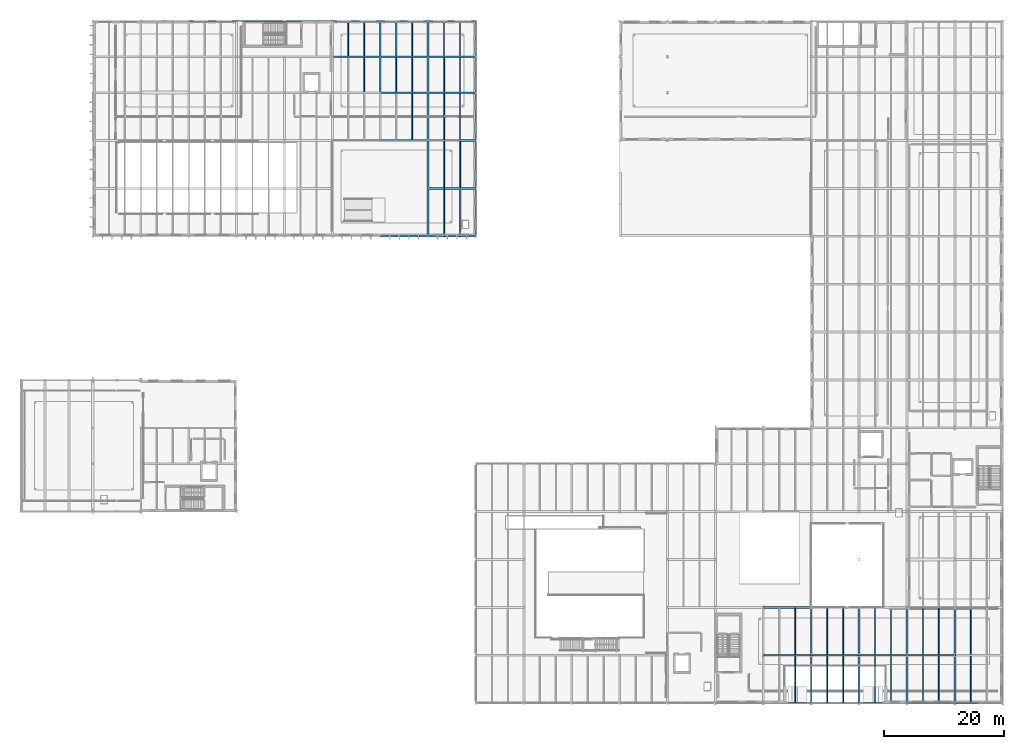
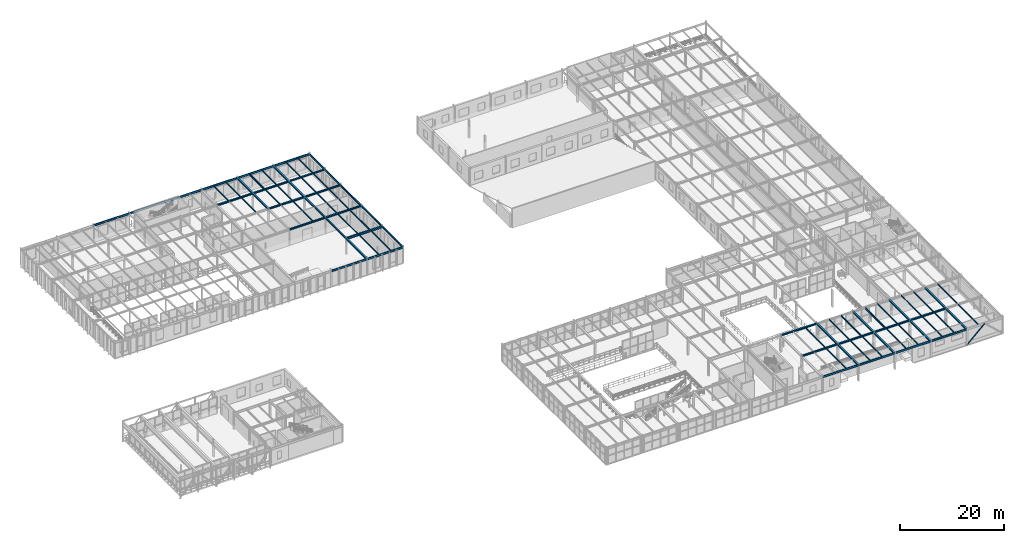
# One storey, part 63 of 124: 79 beams, 1 member.
"""IFC4 building model written with IfcOpenShell, lengths in metres."""

from ifc_helpers import new_model, si_unit, direction, frame, origin, origin_2d, place, context, subcontext, project, spatial, hollow_circle, i_section, extrude, material, material_profile, profile_set, type_object, element, save


model = new_model("IFC4")

# Units and contexts
model_context = context("Model", 3, precision=1e-05, world=origin(), true_north=direction((0.0, 1.0)))
body_context = subcontext(model_context, "Body", "Model", "MODEL_VIEW")
ifc_project = project(units=[si_unit("LENGTHUNIT", "METRE"), si_unit("AREAUNIT", "SQUARE_METRE"), si_unit("VOLUMEUNIT", "CUBIC_METRE"), si_unit("PLANEANGLEUNIT", "RADIAN"), si_unit("MASSUNIT", "GRAM", prefix="KILO")], contexts=[model_context])

# Site, building, storey
site_placement = place(None, origin())
site = spatial("IfcSite", under=ifc_project, at=site_placement, CompositionType="ELEMENT")
building_placement = place(site_placement, origin())
building = spatial("IfcBuilding", under=site, at=building_placement, Name="Sundkrona Museum", CompositionType="ELEMENT")
storey_placement = place(building_placement, frame((0.0, 0.0, 17.60009765625)))
storey = spatial("IfcBuildingStorey", under=building, at=storey_placement, Name="L03", CompositionType="ELEMENT", Elevation=17.60009765625)

# Beams
ifc_material = material(Name="Steel S355J2", Category="steel")
ifc_material_profile_1 = material_profile(ifc_material, i_section(OverallWidth=0.300048828125, OverallDepth=0.2900390625, WebThickness=0.008544921875, FlangeThickness=0.013916015625, FilletRadius=0.027099609375, at=origin_2d()), Name="HEA 300")
ifc_profile_set_1 = profile_set([ifc_material_profile_1], Name="Steel S355J2")
beam_type_1 = type_object("IfcBeamType", Name="B-HEA300", PredefinedType="BEAM", material=ifc_profile_set_1)
beam_1_placement = place(storey_placement, frame((72.0, 108.0, 3.7548828125), z_axis=(1.0, 0.0, 0.0), x_axis=(0.0, 1.0, 0.0)))
element("IfcBeam", 1, at=beam_1_placement, inside=storey, type_object=beam_type_1, Name="L03 Girder X-1539", PredefinedType="BEAM", context=body_context, shape_type="SweptSolid", body=[
    extrude(i_section(OverallWidth=0.300048828125, OverallDepth=0.2900390625, WebThickness=0.008544921875, FlangeThickness=0.013916015625, FilletRadius=0.027099609375, at=origin_2d()), origin(), (0.0, 0.0, 1.0), 8.0),
])
ifc_material_profile_2 = material_profile(ifc_material, i_section(OverallWidth=0.300048828125, OverallDepth=0.35009765625, WebThickness=0.010009765625, FlangeThickness=0.017578125, FilletRadius=0.027099609375, at=origin_2d()), Name="HEA 360")
ifc_profile_set_2 = profile_set([ifc_material_profile_2], Name="Steel S355J2")
beam_type_2 = type_object("IfcBeamType", Name="B-HEA360", PredefinedType="BEAM", material=ifc_profile_set_2)
for number, where, z_axis, x_axis, name in (
    (2, (128.0, 8.0, 3.784912109375), (1.0, 0.0, 0.0), (0.0, 1.0, 0.0), "L03 Girder X-1425"),
    (3, (136.0, 8.0, 3.784912109375), (1.0, 0.0, 0.0), (0.0, 1.0, 0.0), "L03 Girder X-1426"),
    (4, (144.0, 8.0, 3.784912109375), (1.0, 0.0, 0.0), (0.0, 1.0, 0.0), "L03 Girder X-1427"),
    (5, (152.0, 8.0, 3.784912109375), (1.0, 0.0, 0.0), (0.0, 1.0, 0.0), "L03 Girder X-1428"),
    (6, (128.0, 16.0, 3.784912109375), (1.0, 0.0, 0.0), (0.0, 1.0, 0.0), "L03 Girder X-1433"),
    (7, (64.0, 94.0, 3.724853515625), (1.0, 0.0, 0.0), (0.0, 1.0, 0.0), "L03 Girder X-1514"),
    (8, (72.0, 94.0, 3.724853515625), (1.0, 0.0, 0.0), (0.0, 1.0, 0.0), "L03 Girder X-1515"),
    (9, (64.0, 102.0, 3.724853515625), (1.0, 0.0, 0.0), (0.0, 1.0, 0.0), "L03 Girder X-1526"),
    (10, (72.0, 102.0, 3.724853515625), (1.0, 0.0, 0.0), (0.0, 1.0, 0.0), "L03 Girder X-1527"),
    (11, (56.0, 108.0, 3.724853515625), (1.0, 0.0, 0.0), (0.0, 1.0, 0.0), "L03 Girder X-1537"),
    (12, (64.0, 108.0, 3.724853515625), (1.0, 0.0, 0.0), (0.0, 1.0, 0.0), "L03 Girder X-1538"),
):
    element("IfcBeam", number, at=place(storey_placement, frame(where, z_axis=z_axis, x_axis=x_axis)), inside=storey, type_object=beam_type_2, Name=name, PredefinedType="BEAM", context=body_context, shape_type="SweptSolid", body=[
        extrude(i_section(OverallWidth=0.300048828125, OverallDepth=0.35009765625, WebThickness=0.010009765625, FlangeThickness=0.017578125, FilletRadius=0.027099609375, at=origin_2d()), origin(), (0.0, 0.0, 1.0), 8.0),
    ])
for number, where, z_axis, x_axis, name in (
    (13, (64.0, 102.0, 3.724853515625), (0.0, 1.0, 0.0), (-1.0, 0.0, 0.0), "L03 Girder Y-1591"),
    (14, (64.0, 108.0, 3.724853515625), (0.0, 1.0, 0.0), (-1.0, 0.0, 0.0), "L03 Girder Y-1592"),
):
    element("IfcBeam", number, at=place(storey_placement, frame(where, z_axis=z_axis, x_axis=x_axis)), inside=storey, type_object=beam_type_2, Name=name, PredefinedType="BEAM", context=body_context, shape_type="SweptSolid", body=[
        extrude(i_section(OverallWidth=0.300048828125, OverallDepth=0.35009765625, WebThickness=0.010009765625, FlangeThickness=0.017578125, FilletRadius=0.027099609375, at=origin_2d()), origin(), (0.0, 0.0, 1.0), 6.0),
    ])
for number, where, z_axis, x_axis, name in (
    (15, (72.0, 78.0, 3.724853515625), (0.0, 1.0, 0.0), (-1.0, 0.0, 0.0), "L03 Girder Y-1593"),
    (16, (72.0, 86.0, 3.724853515625), (0.0, 1.0, 0.0), (-1.0, 0.0, 0.0), "L03 Girder Y-1594"),
    (17, (72.0, 94.0, 3.724853515625), (0.0, 1.0, 0.0), (-1.0, 0.0, 0.0), "L03 Girder Y-1595"),
):
    element("IfcBeam", number, at=place(storey_placement, frame(where, z_axis=z_axis, x_axis=x_axis)), inside=storey, type_object=beam_type_2, Name=name, PredefinedType="BEAM", context=body_context, shape_type="SweptSolid", body=[
        extrude(i_section(OverallWidth=0.300048828125, OverallDepth=0.35009765625, WebThickness=0.010009765625, FlangeThickness=0.017578125, FilletRadius=0.027099609375, at=origin_2d()), origin(), (0.0, 0.0, 1.0), 8.0),
    ])
for number, where, z_axis, x_axis, name in (
    (18, (72.0, 102.0, 3.724853515625), (0.0, 1.0, 0.0), (-1.0, 0.0, 0.0), "L03 Girder Y-1596"),
    (19, (72.0, 108.0, 3.724853515625), (0.0, 1.0, 0.0), (-1.0, 0.0, 0.0), "L03 Girder Y-1597"),
):
    element("IfcBeam", number, at=place(storey_placement, frame(where, z_axis=z_axis, x_axis=x_axis)), inside=storey, type_object=beam_type_2, Name=name, PredefinedType="BEAM", context=body_context, shape_type="SweptSolid", body=[
        extrude(i_section(OverallWidth=0.300048828125, OverallDepth=0.35009765625, WebThickness=0.010009765625, FlangeThickness=0.017578125, FilletRadius=0.027099609375, at=origin_2d()), origin(), (0.0, 0.0, 1.0), 6.0),
    ])
for number, where, z_axis, x_axis, name in (
    (20, (136.0, 0.0, 3.784912109375), (0.0, 1.0, 0.0), (-1.0, 0.0, 0.0), "L03 Girder Y-1632"),
    (21, (136.0, 8.0, 3.784912109375), (0.0, 1.0, 0.0), (-1.0, 0.0, 0.0), "L03 Girder Y-1633"),
    (22, (144.0, 0.0, 3.784912109375), (0.0, 1.0, 0.0), (-1.0, 0.0, 0.0), "L03 Girder Y-1647"),
    (23, (144.0, 8.0, 3.784912109375), (0.0, 1.0, 0.0), (-1.0, 0.0, 0.0), "L03 Girder Y-1648"),
    (24, (152.0, 0.0, 3.784912109375), (0.0, 1.0, 0.0), (-1.0, 0.0, 0.0), "L03 Girder Y-1660"),
    (25, (152.0, 8.0, 3.784912109375), (0.0, 1.0, 0.0), (-1.0, 0.0, 0.0), "L03 Girder Y-1661"),
    (26, (160.0, 0.0, 3.784912109375), (0.0, 1.0, 0.0), (-1.0, 0.0, 0.0), "L03 Girder Y-1675"),
    (27, (160.0, 8.0, 3.784912109375), (0.0, 1.0, 0.0), (-1.0, 0.0, 0.0), "L03 Girder Y-1676"),
):
    element("IfcBeam", number, at=place(storey_placement, frame(where, z_axis=z_axis, x_axis=x_axis)), inside=storey, type_object=beam_type_2, Name=name, PredefinedType="BEAM", context=body_context, shape_type="SweptSolid", body=[
        extrude(i_section(OverallWidth=0.300048828125, OverallDepth=0.35009765625, WebThickness=0.010009765625, FlangeThickness=0.017578125, FilletRadius=0.027099609375, at=origin_2d()), origin(), (0.0, 0.0, 1.0), 8.0),
    ])
ifc_material_profile_3 = material_profile(ifc_material, i_section(OverallWidth=0.300048828125, OverallDepth=0.5, WebThickness=0.014404296875, FlangeThickness=0.028076171875, FilletRadius=0.027099609375, at=origin_2d()), Name="HEB 500")
ifc_profile_set_3 = profile_set([ifc_material_profile_3], Name="Steel S355J2")
beam_type_3 = type_object("IfcBeamType", Name="B-HEB500", PredefinedType="BEAM", material=ifc_profile_set_3)
beam_2_placement = place(storey_placement, frame((72.0, 86.0, 3.64990234375), z_axis=(1.0, 0.0, 0.0), x_axis=(0.0, 1.0, 0.0)))
element("IfcBeam", 28, at=beam_2_placement, inside=storey, type_object=beam_type_3, Name="L03 Girder X-1503", PredefinedType="BEAM", context=body_context, shape_type="SweptSolid", body=[
    extrude(i_section(OverallWidth=0.300048828125, OverallDepth=0.5, WebThickness=0.014404296875, FlangeThickness=0.028076171875, FilletRadius=0.027099609375, at=origin_2d()), origin(), (0.0, 0.0, 1.0), 8.0),
])

# Member
ifc_material_profile_4 = material_profile(ifc_material, hollow_circle(Radius=0.136474609375, WallThickness=0.012451171875, at=origin_2d()), Name="CHS 273.0x12.5")
ifc_profile_set_4 = profile_set([ifc_material_profile_4], Name="Steel S355J2")
member_type = type_object("IfcMemberType", Name="BR-CHS273", PredefinedType="BRACE", material=ifc_profile_set_4)
member_placement = place(storey_placement, frame((160.0, 0.0, 0.0), z_axis=(0.730448607788, 0.0, 0.68296766496), x_axis=(0.0, 1.0, 0.0)))
element("IfcMember", 29, at=member_placement, inside=storey, type_object=member_type, Name="CBR-1 L03 Concentric Chevron Brace 005A", PredefinedType="BRACE", context=body_context, shape_type="SweptSolid", body=[
    extrude(hollow_circle(Radius=0.136474609375, WallThickness=0.012451171875, at=origin_2d()), origin(), (0.0, 0.0, 1.0), 5.47607421875),
])

# Beams
ifc_material_profile_5 = material_profile(ifc_material, i_section(OverallWidth=0.091064453125, OverallDepth=0.179931640625, WebThickness=0.00537109375, FlangeThickness=0.008056640625, FilletRadius=0.009033203125, at=origin_2d()), Name="IPE 180")
ifc_profile_set_5 = profile_set([ifc_material_profile_5], Name="Steel S355J2")
beam_type_4 = type_object("IfcBeamType", Name="J-IPE180", PredefinedType="JOIST", material=ifc_profile_set_5)
beam_3_placement = place(storey_placement, frame((154.666748046875, 8.14404296875, 3.869873046875), z_axis=(0.0, 1.0, 0.0), x_axis=(-1.0, 0.0, 0.0)))
element("IfcBeam", 30, at=beam_3_placement, inside=storey, type_object=beam_type_4, Name="L03 Composite Joist 1135", PredefinedType="JOIST", context=body_context, shape_type="SweptSolid", body=[
    extrude(i_section(OverallWidth=0.091064453125, OverallDepth=0.179931640625, WebThickness=0.00537109375, FlangeThickness=0.008056640625, FilletRadius=0.009033203125, at=origin_2d()), origin(), (0.0, 0.0, 1.0), 7.7119140625),
])
ifc_material_profile_6 = material_profile(ifc_material, i_section(OverallWidth=0.10009765625, OverallDepth=0.199951171875, WebThickness=0.005615234375, FlangeThickness=0.008544921875, FilletRadius=0.011962890625, at=origin_2d()), Name="IPE 200")
ifc_profile_set_6 = profile_set([ifc_material_profile_6], Name="Steel S355J2")
beam_type_5 = type_object("IfcBeamType", Name="J-IPE200", PredefinedType="JOIST", material=ifc_profile_set_6)
beam_4_placement = place(storey_placement, frame((74.666748046875, 108.14404296875, 3.7998046875), z_axis=(0.0, 1.0, 0.0), x_axis=(-1.0, 0.0, 0.0)))
element("IfcBeam", 31, at=beam_4_placement, inside=storey, type_object=beam_type_5, Name="L03 Composite Joist 1040", PredefinedType="JOIST", context=body_context, shape_type="SweptSolid", body=[
    extrude(i_section(OverallWidth=0.10009765625, OverallDepth=0.199951171875, WebThickness=0.005615234375, FlangeThickness=0.008544921875, FilletRadius=0.011962890625, at=origin_2d()), origin(), (0.0, 0.0, 1.0), 5.766845703125),
])
ifc_material_profile_7 = material_profile(ifc_material, i_section(OverallWidth=0.1201171875, OverallDepth=0.239990234375, WebThickness=0.006103515625, FlangeThickness=0.009765625, FilletRadius=0.014892578125, at=origin_2d()), Name="IPE 240")
ifc_profile_set_7 = profile_set([ifc_material_profile_7], Name="Steel S355J2")
beam_type_6 = type_object("IfcBeamType", Name="J-IPE240", PredefinedType="JOIST", material=ifc_profile_set_7)
beam_5_placement = place(storey_placement, frame((61.333251953125, 108.14404296875, 3.77978515625), z_axis=(0.0, 1.0, 0.0), x_axis=(-1.0, 0.0, 0.0)))
element("IfcBeam", 32, at=beam_5_placement, inside=storey, type_object=beam_type_6, Name="L03 Composite Joist 1025", PredefinedType="JOIST", context=body_context, shape_type="SweptSolid", body=[
    extrude(i_section(OverallWidth=0.1201171875, OverallDepth=0.239990234375, WebThickness=0.006103515625, FlangeThickness=0.009765625, FilletRadius=0.014892578125, at=origin_2d()), origin(), (0.0, 0.0, 1.0), 5.766845703125),
])
ifc_material_profile_8 = material_profile(ifc_material, i_section(OverallWidth=0.135009765625, OverallDepth=0.27001953125, WebThickness=0.006591796875, FlangeThickness=0.01025390625, FilletRadius=0.014892578125, at=origin_2d()), Name="IPE 270")
ifc_profile_set_8 = profile_set([ifc_material_profile_8], Name="Steel S355J2")
beam_type_7 = type_object("IfcBeamType", Name="J-IPE270", PredefinedType="JOIST", material=ifc_profile_set_8)
beam_6_placement = place(storey_placement, frame((61.333251953125, 102.14404296875, 3.764892578125), z_axis=(0.0, 1.0, 0.0), x_axis=(-1.0, 0.0, 0.0)))
element("IfcBeam", 33, at=beam_6_placement, inside=storey, type_object=beam_type_7, Name="L03 Composite Joist 1023", PredefinedType="JOIST", context=body_context, shape_type="SweptSolid", body=[
    extrude(i_section(OverallWidth=0.135009765625, OverallDepth=0.27001953125, WebThickness=0.006591796875, FlangeThickness=0.01025390625, FilletRadius=0.014892578125, at=origin_2d()), origin(), (0.0, 0.0, 1.0), 5.7119140625),
])
beam_7_placement = place(storey_placement, frame((58.666748046875, 108.14404296875, 3.764892578125), z_axis=(0.0, 1.0, 0.0), x_axis=(-1.0, 0.0, 0.0)))
element("IfcBeam", 34, at=beam_7_placement, inside=storey, type_object=beam_type_7, Name="L03 Composite Joist 1024", PredefinedType="JOIST", context=body_context, shape_type="SweptSolid", body=[
    extrude(i_section(OverallWidth=0.135009765625, OverallDepth=0.27001953125, WebThickness=0.006591796875, FlangeThickness=0.01025390625, FilletRadius=0.014892578125, at=origin_2d()), origin(), (0.0, 0.0, 1.0), 5.766845703125),
])
beam_8_placement = place(storey_placement, frame((69.333251953125, 94.14404296875, 3.764892578125), z_axis=(0.0, 1.0, 0.0), x_axis=(-1.0, 0.0, 0.0)))
element("IfcBeam", 35, at=beam_8_placement, inside=storey, type_object=beam_type_7, Name="L03 Composite Joist 1027", PredefinedType="JOIST", context=body_context, shape_type="SweptSolid", body=[
    extrude(i_section(OverallWidth=0.135009765625, OverallDepth=0.27001953125, WebThickness=0.006591796875, FlangeThickness=0.01025390625, FilletRadius=0.014892578125, at=origin_2d()), origin(), (0.0, 0.0, 1.0), 7.7119140625),
])
for number, where, z_axis, x_axis, name in (
    (36, (66.666748046875, 102.14404296875, 3.764892578125), (0.0, 1.0, 0.0), (-1.0, 0.0, 0.0), "L03 Composite Joist 1028"),
    (37, (69.333251953125, 102.14404296875, 3.764892578125), (0.0, 1.0, 0.0), (-1.0, 0.0, 0.0), "L03 Composite Joist 1029"),
):
    element("IfcBeam", number, at=place(storey_placement, frame(where, z_axis=z_axis, x_axis=x_axis)), inside=storey, type_object=beam_type_7, Name=name, PredefinedType="JOIST", context=body_context, shape_type="SweptSolid", body=[
        extrude(i_section(OverallWidth=0.135009765625, OverallDepth=0.27001953125, WebThickness=0.006591796875, FlangeThickness=0.01025390625, FilletRadius=0.014892578125, at=origin_2d()), origin(), (0.0, 0.0, 1.0), 5.7119140625),
    ])
beam_9_placement = place(storey_placement, frame((69.333251953125, 108.14404296875, 3.764892578125), z_axis=(0.0, 1.0, 0.0), x_axis=(-1.0, 0.0, 0.0)))
element("IfcBeam", 38, at=beam_9_placement, inside=storey, type_object=beam_type_7, Name="L03 Composite Joist 1031", PredefinedType="JOIST", context=body_context, shape_type="SweptSolid", body=[
    extrude(i_section(OverallWidth=0.135009765625, OverallDepth=0.27001953125, WebThickness=0.006591796875, FlangeThickness=0.01025390625, FilletRadius=0.014892578125, at=origin_2d()), origin(), (0.0, 0.0, 1.0), 5.766845703125),
])
for number, where, z_axis, x_axis, name in (
    (39, (74.666748046875, 78.089111328125, 3.764892578125), (0.0, 1.0, 0.0), (-1.0, 0.0, 0.0), "L03 Composite Joist 1032"),
    (40, (77.333251953125, 78.089111328125, 3.764892578125), (0.0, 1.0, 0.0), (-1.0, 0.0, 0.0), "L03 Composite Joist 1033"),
):
    element("IfcBeam", number, at=place(storey_placement, frame(where, z_axis=z_axis, x_axis=x_axis)), inside=storey, type_object=beam_type_7, Name=name, PredefinedType="JOIST", context=body_context, shape_type="SweptSolid", body=[
        extrude(i_section(OverallWidth=0.135009765625, OverallDepth=0.27001953125, WebThickness=0.006591796875, FlangeThickness=0.01025390625, FilletRadius=0.014892578125, at=origin_2d()), origin(), (0.0, 0.0, 1.0), 7.766845703125),
    ])
for number, where, z_axis, x_axis, name in (
    (41, (74.666748046875, 86.14404296875, 3.764892578125), (0.0, 1.0, 0.0), (-1.0, 0.0, 0.0), "L03 Composite Joist 1034"),
    (42, (74.666748046875, 94.14404296875, 3.764892578125), (0.0, 1.0, 0.0), (-1.0, 0.0, 0.0), "L03 Composite Joist 1036"),
    (43, (77.333251953125, 94.14404296875, 3.764892578125), (0.0, 1.0, 0.0), (-1.0, 0.0, 0.0), "L03 Composite Joist 1037"),
):
    element("IfcBeam", number, at=place(storey_placement, frame(where, z_axis=z_axis, x_axis=x_axis)), inside=storey, type_object=beam_type_7, Name=name, PredefinedType="JOIST", context=body_context, shape_type="SweptSolid", body=[
        extrude(i_section(OverallWidth=0.135009765625, OverallDepth=0.27001953125, WebThickness=0.006591796875, FlangeThickness=0.01025390625, FilletRadius=0.014892578125, at=origin_2d()), origin(), (0.0, 0.0, 1.0), 7.7119140625),
    ])
for number, where, z_axis, x_axis, name in (
    (44, (74.666748046875, 102.14404296875, 3.764892578125), (0.0, 1.0, 0.0), (-1.0, 0.0, 0.0), "L03 Composite Joist 1038"),
    (45, (77.333251953125, 102.14404296875, 3.764892578125), (0.0, 1.0, 0.0), (-1.0, 0.0, 0.0), "L03 Composite Joist 1039"),
):
    element("IfcBeam", number, at=place(storey_placement, frame(where, z_axis=z_axis, x_axis=x_axis)), inside=storey, type_object=beam_type_7, Name=name, PredefinedType="JOIST", context=body_context, shape_type="SweptSolid", body=[
        extrude(i_section(OverallWidth=0.135009765625, OverallDepth=0.27001953125, WebThickness=0.006591796875, FlangeThickness=0.01025390625, FilletRadius=0.014892578125, at=origin_2d()), origin(), (0.0, 0.0, 1.0), 5.7119140625),
    ])
beam_10_placement = place(storey_placement, frame((77.333251953125, 108.14404296875, 3.764892578125), z_axis=(0.0, 1.0, 0.0), x_axis=(-1.0, 0.0, 0.0)))
element("IfcBeam", 46, at=beam_10_placement, inside=storey, type_object=beam_type_7, Name="L03 Composite Joist 1041", PredefinedType="JOIST", context=body_context, shape_type="SweptSolid", body=[
    extrude(i_section(OverallWidth=0.135009765625, OverallDepth=0.27001953125, WebThickness=0.006591796875, FlangeThickness=0.01025390625, FilletRadius=0.014892578125, at=origin_2d()), origin(), (0.0, 0.0, 1.0), 5.766845703125),
])
beam_11_placement = place(storey_placement, frame((133.333251953125, 8.14404296875, 3.824951171875), z_axis=(0.0, 1.0, 0.0), x_axis=(-1.0, 0.0, 0.0)))
element("IfcBeam", 47, at=beam_11_placement, inside=storey, type_object=beam_type_7, Name="L03 Composite Joist 1077", PredefinedType="JOIST", context=body_context, shape_type="SweptSolid", body=[
    extrude(i_section(OverallWidth=0.135009765625, OverallDepth=0.27001953125, WebThickness=0.006591796875, FlangeThickness=0.01025390625, FilletRadius=0.014892578125, at=origin_2d()), origin(), (0.0, 0.0, 1.0), 7.7119140625),
])
for number, where, z_axis, x_axis, name in (
    (48, (138.666748046875, 0.089111328125, 3.824951171875), (0.0, 1.0, 0.0), (-1.0, 0.0, 0.0), "L03 Composite Joist 1082"),
    (49, (141.333251953125, 0.089111328125, 3.824951171875), (0.0, 1.0, 0.0), (-1.0, 0.0, 0.0), "L03 Composite Joist 1083"),
):
    element("IfcBeam", number, at=place(storey_placement, frame(where, z_axis=z_axis, x_axis=x_axis)), inside=storey, type_object=beam_type_7, Name=name, PredefinedType="JOIST", context=body_context, shape_type="SweptSolid", body=[
        extrude(i_section(OverallWidth=0.135009765625, OverallDepth=0.27001953125, WebThickness=0.006591796875, FlangeThickness=0.01025390625, FilletRadius=0.014892578125, at=origin_2d()), origin(), (0.0, 0.0, 1.0), 7.766845703125),
    ])
beam_12_placement = place(storey_placement, frame((138.666748046875, 8.14404296875, 3.824951171875), z_axis=(0.0, 1.0, 0.0), x_axis=(-1.0, 0.0, 0.0)))
element("IfcBeam", 50, at=beam_12_placement, inside=storey, type_object=beam_type_7, Name="L03 Composite Joist 1084", PredefinedType="JOIST", context=body_context, shape_type="SweptSolid", body=[
    extrude(i_section(OverallWidth=0.135009765625, OverallDepth=0.27001953125, WebThickness=0.006591796875, FlangeThickness=0.01025390625, FilletRadius=0.014892578125, at=origin_2d()), origin(), (0.0, 0.0, 1.0), 7.7119140625),
])
for number, where, z_axis, x_axis, name in (
    (51, (146.666748046875, 0.089111328125, 3.824951171875), (0.0, 1.0, 0.0), (-1.0, 0.0, 0.0), "L03 Composite Joist 1108"),
    (52, (149.333251953125, 0.089111328125, 3.824951171875), (0.0, 1.0, 0.0), (-1.0, 0.0, 0.0), "L03 Composite Joist 1109"),
):
    element("IfcBeam", number, at=place(storey_placement, frame(where, z_axis=z_axis, x_axis=x_axis)), inside=storey, type_object=beam_type_7, Name=name, PredefinedType="JOIST", context=body_context, shape_type="SweptSolid", body=[
        extrude(i_section(OverallWidth=0.135009765625, OverallDepth=0.27001953125, WebThickness=0.006591796875, FlangeThickness=0.01025390625, FilletRadius=0.014892578125, at=origin_2d()), origin(), (0.0, 0.0, 1.0), 7.766845703125),
    ])
beam_13_placement = place(storey_placement, frame((149.333251953125, 8.14404296875, 3.824951171875), z_axis=(0.0, 1.0, 0.0), x_axis=(-1.0, 0.0, 0.0)))
element("IfcBeam", 53, at=beam_13_placement, inside=storey, type_object=beam_type_7, Name="L03 Composite Joist 1111", PredefinedType="JOIST", context=body_context, shape_type="SweptSolid", body=[
    extrude(i_section(OverallWidth=0.135009765625, OverallDepth=0.27001953125, WebThickness=0.006591796875, FlangeThickness=0.01025390625, FilletRadius=0.014892578125, at=origin_2d()), origin(), (0.0, 0.0, 1.0), 7.7119140625),
])
for number, where, z_axis, x_axis, name in (
    (54, (154.666748046875, 0.089111328125, 3.824951171875), (0.0, 1.0, 0.0), (-1.0, 0.0, 0.0), "L03 Composite Joist 1133"),
    (55, (157.333251953125, 0.089111328125, 3.824951171875), (0.0, 1.0, 0.0), (-1.0, 0.0, 0.0), "L03 Composite Joist 1134"),
):
    element("IfcBeam", number, at=place(storey_placement, frame(where, z_axis=z_axis, x_axis=x_axis)), inside=storey, type_object=beam_type_7, Name=name, PredefinedType="JOIST", context=body_context, shape_type="SweptSolid", body=[
        extrude(i_section(OverallWidth=0.135009765625, OverallDepth=0.27001953125, WebThickness=0.006591796875, FlangeThickness=0.01025390625, FilletRadius=0.014892578125, at=origin_2d()), origin(), (0.0, 0.0, 1.0), 7.766845703125),
    ])
beam_14_placement = place(storey_placement, frame((157.333251953125, 8.14404296875, 3.824951171875), z_axis=(0.0, 1.0, 0.0), x_axis=(-1.0, 0.0, 0.0)))
element("IfcBeam", 56, at=beam_14_placement, inside=storey, type_object=beam_type_7, Name="L03 Composite Joist 1136", PredefinedType="JOIST", context=body_context, shape_type="SweptSolid", body=[
    extrude(i_section(OverallWidth=0.135009765625, OverallDepth=0.27001953125, WebThickness=0.006591796875, FlangeThickness=0.01025390625, FilletRadius=0.014892578125, at=origin_2d()), origin(), (0.0, 0.0, 1.0), 7.7119140625),
])
beam_15_placement = place(storey_placement, frame((162.666748046875, 0.089111328125, 3.824951171875), z_axis=(0.0, 1.0, 0.0), x_axis=(-1.0, 0.0, 0.0)))
element("IfcBeam", 57, at=beam_15_placement, inside=storey, type_object=beam_type_7, Name="L03 Composite Joist 1159", PredefinedType="JOIST", context=body_context, shape_type="SweptSolid", body=[
    extrude(i_section(OverallWidth=0.135009765625, OverallDepth=0.27001953125, WebThickness=0.006591796875, FlangeThickness=0.01025390625, FilletRadius=0.014892578125, at=origin_2d()), origin(), (0.0, 0.0, 1.0), 7.766845703125),
])
beam_16_placement = place(storey_placement, frame((162.666748046875, 8.14404296875, 3.824951171875), z_axis=(0.0, 1.0, 0.0), x_axis=(-1.0, 0.0, 0.0)))
element("IfcBeam", 58, at=beam_16_placement, inside=storey, type_object=beam_type_7, Name="L03 Composite Joist 1161", PredefinedType="JOIST", context=body_context, shape_type="SweptSolid", body=[
    extrude(i_section(OverallWidth=0.135009765625, OverallDepth=0.27001953125, WebThickness=0.006591796875, FlangeThickness=0.01025390625, FilletRadius=0.014892578125, at=origin_2d()), origin(), (0.0, 0.0, 1.0), 7.7119140625),
])
ifc_material_profile_9 = material_profile(ifc_material, i_section(OverallWidth=0.14990234375, OverallDepth=0.300048828125, WebThickness=0.007080078125, FlangeThickness=0.0107421875, FilletRadius=0.014892578125, at=origin_2d()), Name="IPE 300")
ifc_profile_set_9 = profile_set([ifc_material_profile_9], Name="Steel S355J2")
beam_type_8 = type_object("IfcBeamType", Name="J-IPE300", PredefinedType="JOIST", material=ifc_profile_set_9)
beam_17_placement = place(storey_placement, frame((77.333251953125, 86.14404296875, 3.75), z_axis=(0.0, 1.0, 0.0), x_axis=(-1.0, 0.0, 0.0)))
element("IfcBeam", 59, at=beam_17_placement, inside=storey, type_object=beam_type_8, Name="L03 Composite Joist 1035", PredefinedType="JOIST", context=body_context, shape_type="SweptSolid", body=[
    extrude(i_section(OverallWidth=0.14990234375, OverallDepth=0.300048828125, WebThickness=0.007080078125, FlangeThickness=0.0107421875, FilletRadius=0.014892578125, at=origin_2d()), origin(), (0.0, 0.0, 1.0), 7.7119140625),
])
beam_18_placement = place(storey_placement, frame((133.333251953125, 0.089111328125, 3.809814453125), z_axis=(0.0, 1.0, 0.0), x_axis=(-1.0, 0.0, 0.0)))
element("IfcBeam", 60, at=beam_18_placement, inside=storey, type_object=beam_type_8, Name="L03 Composite Joist 1075", PredefinedType="JOIST", context=body_context, shape_type="SweptSolid", body=[
    extrude(i_section(OverallWidth=0.14990234375, OverallDepth=0.300048828125, WebThickness=0.007080078125, FlangeThickness=0.0107421875, FilletRadius=0.014892578125, at=origin_2d()), origin(), (0.0, 0.0, 1.0), 7.766845703125),
])
ifc_material_profile_10 = material_profile(ifc_material, i_section(OverallWidth=0.169921875, OverallDepth=0.360107421875, WebThickness=0.008056640625, FlangeThickness=0.0126953125, FilletRadius=0.01806640625, at=origin_2d()), Name="IPE 360")
ifc_profile_set_10 = profile_set([ifc_material_profile_10], Name="Steel S355J2")
beam_type_9 = type_object("IfcBeamType", Name="J-IPE360", PredefinedType="JOIST", material=ifc_profile_set_10)
beam_19_placement = place(storey_placement, frame((141.333251953125, 8.14404296875, 3.77978515625), z_axis=(0.0, 1.0, 0.0), x_axis=(-1.0, 0.0, 0.0)))
element("IfcBeam", 61, at=beam_19_placement, inside=storey, type_object=beam_type_9, Name="L03 Composite Joist 1085", PredefinedType="JOIST", context=body_context, shape_type="SweptSolid", body=[
    extrude(i_section(OverallWidth=0.169921875, OverallDepth=0.360107421875, WebThickness=0.008056640625, FlangeThickness=0.0126953125, FilletRadius=0.01806640625, at=origin_2d()), origin(), (0.0, 0.0, 1.0), 7.7119140625),
])
ifc_material_profile_11 = material_profile(ifc_material, i_section(OverallWidth=0.179931640625, OverallDepth=0.39990234375, WebThickness=0.008544921875, FlangeThickness=0.013427734375, FilletRadius=0.02099609375, at=origin_2d()), Name="IPE 400")
ifc_profile_set_11 = profile_set([ifc_material_profile_11], Name="Steel S355J2")
beam_type_10 = type_object("IfcBeamType", Name="J-IPE400", PredefinedType="JOIST", material=ifc_profile_set_11)
beam_20_placement = place(storey_placement, frame((66.666748046875, 108.14404296875, 3.699951171875), z_axis=(0.0, 1.0, 0.0), x_axis=(-1.0, 0.0, 0.0)))
element("IfcBeam", 62, at=beam_20_placement, inside=storey, type_object=beam_type_10, Name="L03 Composite Joist 1030", PredefinedType="JOIST", context=body_context, shape_type="SweptSolid", body=[
    extrude(i_section(OverallWidth=0.179931640625, OverallDepth=0.39990234375, WebThickness=0.008544921875, FlangeThickness=0.013427734375, FilletRadius=0.02099609375, at=origin_2d()), origin(), (0.0, 0.0, 1.0), 5.766845703125),
])
beam_21_placement = place(storey_placement, frame((146.666748046875, 8.14404296875, 3.760009765625), z_axis=(0.0, 1.0, 0.0), x_axis=(-1.0, 0.0, 0.0)))
element("IfcBeam", 63, at=beam_21_placement, inside=storey, type_object=beam_type_10, Name="L03 Composite Joist 1110", PredefinedType="JOIST", context=body_context, shape_type="SweptSolid", body=[
    extrude(i_section(OverallWidth=0.179931640625, OverallDepth=0.39990234375, WebThickness=0.008544921875, FlangeThickness=0.013427734375, FilletRadius=0.02099609375, at=origin_2d()), origin(), (0.0, 0.0, 1.0), 7.7119140625),
])
ifc_material_profile_12 = material_profile(ifc_material, i_section(OverallWidth=0.18994140625, OverallDepth=0.449951171875, WebThickness=0.009521484375, FlangeThickness=0.0146484375, FilletRadius=0.02099609375, at=origin_2d()), Name="IPE 450")
ifc_profile_set_12 = profile_set([ifc_material_profile_12], Name="Steel S355J2")
beam_type_11 = type_object("IfcBeamType", Name="SP-IPE450", PredefinedType="SPANDREL", material=ifc_profile_set_12)
for number, where, z_axis, x_axis, name in (
    (64, (128.0, 0.0, 3.73486328125), (1.0, 0.0, 0.0), (0.0, 1.0, 0.0), "L03 Girder X-1416"),
    (65, (136.0, 0.0, 3.73486328125), (1.0, 0.0, 0.0), (0.0, 1.0, 0.0), "L03 Girder X-1417"),
    (66, (144.0, 0.0, 3.73486328125), (1.0, 0.0, 0.0), (0.0, 1.0, 0.0), "L03 Girder X-1418"),
    (67, (152.0, 0.0, 3.73486328125), (1.0, 0.0, 0.0), (0.0, 1.0, 0.0), "L03 Girder X-1419"),
    (68, (64.0, 78.0, 3.6748046875), (1.0, 0.0, 0.0), (0.0, 1.0, 0.0), "L03 Girder X-1492"),
    (69, (72.0, 78.0, 3.6748046875), (1.0, 0.0, 0.0), (0.0, 1.0, 0.0), "L03 Girder X-1493"),
    (70, (32.0, 114.0, 3.73486328125), (1.0, 0.0, 0.0), (0.0, 1.0, 0.0), "L03 Girder X-1546"),
    (71, (40.0, 114.0, 3.73486328125), (1.0, 0.0, 0.0), (0.0, 1.0, 0.0), "L03 Girder X-1547"),
    (72, (48.0, 114.0, 3.6748046875), (1.0, 0.0, 0.0), (0.0, 1.0, 0.0), "L03 Girder X-1548"),
    (73, (56.0, 114.0, 3.6748046875), (1.0, 0.0, 0.0), (0.0, 1.0, 0.0), "L03 Girder X-1549"),
    (74, (64.0, 114.0, 3.6748046875), (1.0, 0.0, 0.0), (0.0, 1.0, 0.0), "L03 Girder X-1550"),
    (75, (72.0, 114.0, 3.6748046875), (1.0, 0.0, 0.0), (0.0, 1.0, 0.0), "L03 Girder X-1551"),
    (76, (80.0, 78.0, 3.6748046875), (0.0, 1.0, 0.0), (-1.0, 0.0, 0.0), "L03 Girder Y-1603"),
    (77, (80.0, 86.0, 3.6748046875), (0.0, 1.0, 0.0), (-1.0, 0.0, 0.0), "L03 Girder Y-1604"),
    (78, (80.0, 94.0, 3.6748046875), (0.0, 1.0, 0.0), (-1.0, 0.0, 0.0), "L03 Girder Y-1605"),
):
    element("IfcBeam", number, at=place(storey_placement, frame(where, z_axis=z_axis, x_axis=x_axis)), inside=storey, type_object=beam_type_11, Name=name, PredefinedType="SPANDREL", context=body_context, shape_type="SweptSolid", body=[
        extrude(i_section(OverallWidth=0.18994140625, OverallDepth=0.449951171875, WebThickness=0.009521484375, FlangeThickness=0.0146484375, FilletRadius=0.02099609375, at=origin_2d()), origin(), (0.0, 0.0, 1.0), 8.0),
    ])
for number, where, z_axis, x_axis, name in (
    (79, (80.0, 102.0, 3.6748046875), (0.0, 1.0, 0.0), (-1.0, 0.0, 0.0), "L03 Girder Y-1606"),
    (80, (80.0, 108.0, 3.6748046875), (0.0, 1.0, 0.0), (-1.0, 0.0, 0.0), "L03 Girder Y-1607"),
):
    element("IfcBeam", number, at=place(storey_placement, frame(where, z_axis=z_axis, x_axis=x_axis)), inside=storey, type_object=beam_type_11, Name=name, PredefinedType="SPANDREL", context=body_context, shape_type="SweptSolid", body=[
        extrude(i_section(OverallWidth=0.18994140625, OverallDepth=0.449951171875, WebThickness=0.009521484375, FlangeThickness=0.0146484375, FilletRadius=0.02099609375, at=origin_2d()), origin(), (0.0, 0.0, 1.0), 6.0),
    ])

save(model, "model.ifc")
